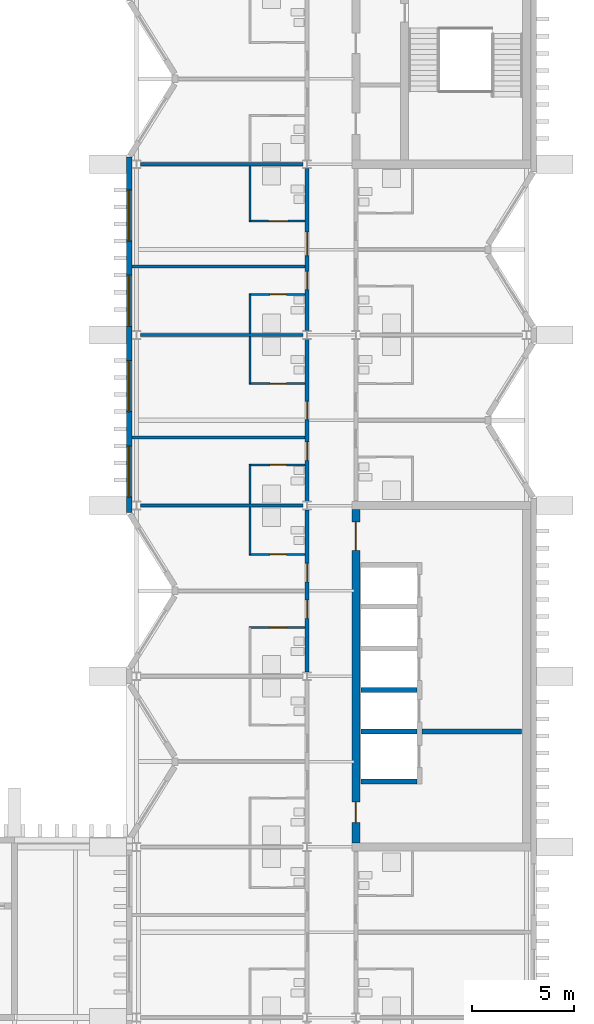
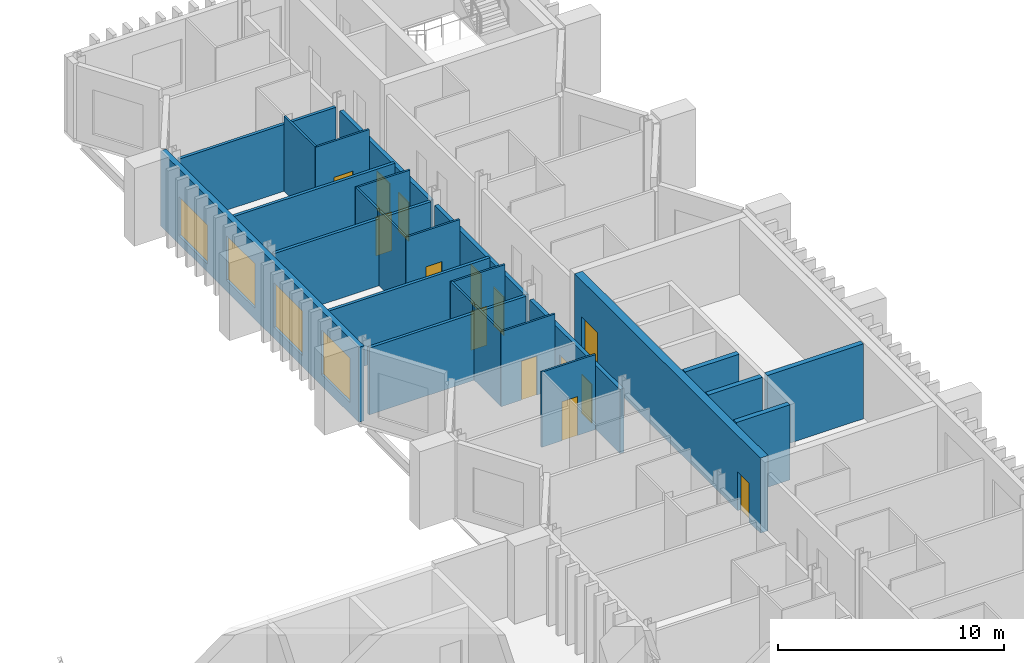
# One storey, part 40 of 51: 25 walls, 14 doors, 4 windows, 18 openings.
"""IFC4 building model written with IfcOpenShell, lengths in metres."""

import ifcopenshell
import ifcopenshell.guid

model = None  # the IFC model being written
_history = None  # IfcOwnerHistory: only IFC2X3 demands one
_inside = {}  # id of a spatial element -> (the spatial element, [elements in it])
_under = {}  # id of a project, library or spatial element -> (it, [spatial elements below it])
_declared = {}  # id of a project -> (the project, [libraries it declares])
_typed = {}  # id of a type object -> (the type object, [elements of that type])
_made_of = {}  # id of a material, layer set ... -> (it, [elements and type objects made of it])


def new_model(schema):
    """Start an empty IFC model of exactly this schema.

    Asked for "IFC4X3", IfcOpenShell would pick the latest addendum, in which some entities
    have other attributes; the version numbers below select the first issue.
    IFC2X3 requires an IfcOwnerHistory on every rooted entity: one is made here for all.
    """
    global model, _history
    if schema == "IFC4X3":
        model = ifcopenshell.file(schema_version=(4, 3, 0, 0))
    else:
        model = ifcopenshell.file(schema=schema)
    _inside.clear()
    _under.clear()
    _declared.clear()
    _typed.clear()
    _made_of.clear()
    _history = None
    if model.schema == "IFC2X3":
        org = make("IfcOrganization", Name="unknown")
        user = make(
            "IfcPersonAndOrganization",
            ThePerson=make("IfcPerson", FamilyName="unknown"),
            TheOrganization=org,
        )
        app = make(
            "IfcApplication",
            ApplicationDeveloper=org,
            Version="unknown",
            ApplicationFullName="unknown",
            ApplicationIdentifier="unknown",
        )
        _history = make(
            "IfcOwnerHistory",
            OwningUser=user,
            OwningApplication=app,
            ChangeAction="ADDED",
            CreationDate=0,
        )
    return model


def make(cls, **values):
    """One entity of the class cls with the attributes given. An attribute that is None is left unset."""
    return model.create_entity(
        cls, **{name: value for name, value in values.items() if value is not None}
    )


def rooted(cls, **values):
    """An entity with a GlobalId (a new one), such as an element, a storey or a relation."""
    return make(cls, GlobalId=ifcopenshell.guid.new(), OwnerHistory=_history, **values)


def si_unit(unit_type, name, prefix=None):
    """IfcSIUnit, for example si_unit("LENGTHUNIT", "METRE", prefix="MILLI")."""
    return make("IfcSIUnit", UnitType=unit_type, Prefix=prefix, Name=name)


def assignment(units):
    """IfcUnitAssignment: the units of a project."""
    return None if units is None else make("IfcUnitAssignment", Units=units)


def point(xyz):
    """IfcCartesianPoint."""
    return None if xyz is None else make("IfcCartesianPoint", Coordinates=xyz)


def direction(xyz):
    """IfcDirection."""
    return None if xyz is None else make("IfcDirection", DirectionRatios=xyz)


def frame(location, z_axis=None, x_axis=None):
    """IfcAxis2Placement3D, a coordinate frame: its origin and axes. An axis left out is left unset."""
    return make(
        "IfcAxis2Placement3D",
        Location=point(location),
        Axis=direction(z_axis),
        RefDirection=direction(x_axis),
    )


def frame_2d(location, x_axis=None):
    """IfcAxis2Placement2D, a coordinate frame in the plane: its origin and x axis."""
    return make(
        "IfcAxis2Placement2D", Location=point(location), RefDirection=direction(x_axis)
    )


def origin():
    """The frame at (0, 0, 0) with its axes left unset."""
    return frame((0.0, 0.0, 0.0))


def place(relative_to, where):
    """IfcLocalPlacement: puts the frame where relative to a parent placement (None: the world)."""
    return make(
        "IfcLocalPlacement", PlacementRelTo=relative_to, RelativePlacement=where
    )


def context(
    kind, dimensions, precision=None, world=None, true_north=None, identifier=None
):
    """IfcGeometricRepresentationContext, for example the 3D "Model" context."""
    return make(
        "IfcGeometricRepresentationContext",
        ContextIdentifier=identifier,
        ContextType=kind,
        CoordinateSpaceDimension=dimensions,
        Precision=precision,
        WorldCoordinateSystem=world,
        TrueNorth=true_north,
    )


def subcontext(parent, identifier, kind, view, scale=None):
    """IfcGeometricRepresentationSubContext, for example "Body" below "Model"."""
    return make(
        "IfcGeometricRepresentationSubContext",
        ContextIdentifier=identifier,
        ContextType=kind,
        ParentContext=parent,
        TargetScale=scale,
        TargetView=view,
    )


def project(units=None, contexts=None):
    """IfcProject with its units and contexts."""
    return rooted(
        "IfcProject",
        Name="project",
        RepresentationContexts=contexts,
        UnitsInContext=assignment(units),
    )


def spatial(cls, under=None, at=None, **own):
    """A site, building, storey or space (cls), placed at a placement, below another one or the project."""
    s = rooted(cls, ObjectPlacement=at, **own)
    if under is not None:
        _under.setdefault(under.id(), (under, []))[1].append(s)
    return s


def profile(cls, at=None, kind="AREA", **sizes):
    """A parametric profile (cls). Its sizes go by their IFC names, for example OverallWidth=200.0."""
    return make(cls, ProfileType=kind, Position=at, **sizes)


def rectangle(**sizes):
    """IfcRectangleProfileDef."""
    return profile("IfcRectangleProfileDef", **sizes)


def extrude(swept, where, along, depth):
    """IfcExtrudedAreaSolid: the profile swept, set in the frame where, extruded along a direction by depth."""
    return make(
        "IfcExtrudedAreaSolid",
        SweptArea=swept,
        Position=where,
        ExtrudedDirection=direction(along),
        Depth=depth,
    )


def shape(context_of_items, identifier, shape_type, items):
    """IfcShapeRepresentation: the items that make up one representation, for example the "Body"."""
    return make(
        "IfcShapeRepresentation",
        ContextOfItems=context_of_items,
        RepresentationIdentifier=identifier,
        RepresentationType=shape_type,
        Items=items,
    )


def material(Name=None, Category=None):
    """IfcMaterial."""
    return make("IfcMaterial", Name=Name, Category=Category)


def layer(
    of_material, thickness, ventilated=None, Name=None, Category=None, Priority=None
):
    """IfcMaterialLayer: one layer of a wall or slab, of a material (None: an air gap)."""
    return make(
        "IfcMaterialLayer",
        Material=of_material,
        LayerThickness=thickness,
        IsVentilated=ventilated,
        Name=Name,
        Category=Category,
        Priority=Priority,
    )


def layer_set(layers, Name=None):
    """IfcMaterialLayerSet."""
    return make("IfcMaterialLayerSet", MaterialLayers=layers, LayerSetName=Name)


def made_of(thing, what):
    """Note that an element or type object is made of a material, layer set ...; save() writes the relation."""
    if what is not None:
        _made_of.setdefault(what.id(), (what, []))[1].append(thing)
    return thing


def type_object(cls, material=None, **own):
    """A type object (cls), such as IfcWallType, which elements share."""
    return made_of(rooted(cls, **own), material)


def element(
    cls,
    number,
    at=None,
    inside=None,
    cuts=None,
    type_object=None,
    material=None,
    context=None,
    identifier="Body",
    shape_type=None,
    held_by="IfcProductDefinitionShape",
    body=None,
    shapes=None,
    **own,
):
    """One element of the class cls, such as IfcWall. Its Tag is "e" and its number.

    at: its placement. inside: the storey or other place that contains it. cuts: it is an
    opening in that element (IfcRelVoidsElement). A single representation is given by context,
    identifier, shape_type and body (its items); several are given by shapes. held_by: the class
    of the entity that holds the representations. save() writes the other relations.
    """
    e = rooted(cls, Tag="e%d" % number, ObjectPlacement=at, **own)
    if body is not None:
        shapes = [shape(context, identifier, shape_type, body)]
    if shapes is not None:
        e.Representation = make(held_by, Representations=shapes)
    if inside is not None:
        _inside.setdefault(inside.id(), (inside, []))[1].append(e)
    if cuts is not None:
        rooted(
            "IfcRelVoidsElement", RelatingBuildingElement=cuts, RelatedOpeningElement=e
        )
    if type_object is not None:
        _typed.setdefault(type_object.id(), (type_object, []))[1].append(e)
    return made_of(e, material)


def fill(opening, filler):
    """IfcRelFillsElement: the door or window that sits in an opening."""
    return rooted(
        "IfcRelFillsElement",
        RelatingOpeningElement=opening,
        RelatedBuildingElement=filler,
    )


def aggregate(whole, parts):
    """IfcRelAggregates: a whole, such as a stair, and the parts it consists of."""
    return rooted("IfcRelAggregates", RelatingObject=whole, RelatedObjects=parts)


def save(model, path):
    """Write the relations noted so far, then the file.

    IfcRelAggregates (storeys below a building ...), IfcRelContainedInSpatialStructure (elements
    in a storey), IfcRelDefinesByType, IfcRelAssociatesMaterial and IfcRelDeclares: one each for
    every whole, place, type object, material and project.
    """
    for whole, parts in _under.values():
        aggregate(whole, parts)
    for where, things in _inside.values():
        rooted(
            "IfcRelContainedInSpatialStructure",
            RelatedElements=things,
            RelatingStructure=where,
        )
    for kind, things in _typed.values():
        rooted("IfcRelDefinesByType", RelatedObjects=things, RelatingType=kind)
    for what, things in _made_of.values():
        rooted("IfcRelAssociatesMaterial", RelatedObjects=things, RelatingMaterial=what)
    for by, libraries in _declared.values():
        rooted("IfcRelDeclares", RelatingContext=by, RelatedDefinitions=libraries)
    model.write(path)


model = new_model("IFC4")

# Units and contexts
model_context = context("Model", 3, precision=1e-05, world=origin(), true_north=direction((0.0, 1.0)))
body_context = subcontext(model_context, "Body", "Model", "MODEL_VIEW")
ifc_project = project(units=[si_unit("LENGTHUNIT", "METRE"), si_unit("AREAUNIT", "SQUARE_METRE"), si_unit("VOLUMEUNIT", "CUBIC_METRE"), si_unit("PLANEANGLEUNIT", "RADIAN"), si_unit("MASSUNIT", "GRAM", prefix="KILO")], contexts=[model_context])

# Site, building, storey
site_placement = place(None, origin())
site = spatial("IfcSite", under=ifc_project, at=site_placement, CompositionType="ELEMENT")
building_placement = place(site_placement, origin())
building = spatial("IfcBuilding", under=site, at=building_placement, Name="Cresset Court Congress Hotel", CompositionType="ELEMENT")
storey_placement = place(building_placement, frame((0.0, 0.0, 18.60009765625)))
storey = spatial("IfcBuildingStorey", under=building, at=storey_placement, Name="L04", CompositionType="ELEMENT", Elevation=18.60009765625)

# Wall, openings, doors
ifc_material_1 = material(Name="Gypsum board partition")
ifc_layer_1 = layer(ifc_material_1, 0.199951171875)
ifc_layer_set_1 = layer_set([ifc_layer_1], Name="Corridor wall 200")
wall_type_1 = type_object("IfcWallType", Name="Corridor wall 200", PredefinedType="PARTITIONING", material=ifc_layer_set_1)
wall_1_placement = place(storey_placement, frame((165.60009765625, 33.806884765625, 0.0), z_axis=(0.0, 0.0, 1.0), x_axis=(0.0, 1.0, 0.0)))
wall_1 = element("IfcWall", 1, at=wall_1_placement, inside=storey, type_object=wall_type_1, Name="A.wl.L04.074", PredefinedType="PARTITIONING", context=body_context, shape_type="SweptSolid", body=[
    extrude(rectangle(XDim=7.986083984375, YDim=0.199951171875, at=frame_2d((3.9931640625, 0.0))), origin(), (0.0, 0.0, 1.0), 3.449951171875),
])
opening_1_placement = place(wall_1_placement, frame((2.64306640625, 0.0, 0.0)))
opening_1 = element("IfcOpeningElement", 2, at=opening_1_placement, cuts=wall_1, Name="Opening DA-04-18", PredefinedType="OPENING", context=body_context, shape_type="SweptSolid", body=[
    extrude(rectangle(XDim=0.89990234375, YDim=2.10009765625, at=frame_2d((0.449951171875, 1.050048828125))), frame((0.0, 0.10986328125, 0.0), z_axis=(0.0, -1.0, 0.0), x_axis=(1.0, 0.0, 0.0)), (0.0, 0.0, 1.0), 0.219970703125),
])
opening_2_placement = place(wall_1_placement, frame((4.443115234375, 0.0, 0.0)))
opening_2 = element("IfcOpeningElement", 3, at=opening_2_placement, cuts=wall_1, Name="Opening DA-04-20", PredefinedType="OPENING", context=body_context, shape_type="SweptSolid", body=[
    extrude(rectangle(XDim=0.89990234375, YDim=2.10009765625, at=frame_2d((0.449951171875, 1.050048828125))), frame((0.0, 0.10986328125, 0.0), z_axis=(0.0, -1.0, 0.0), x_axis=(1.0, 0.0, 0.0)), (0.0, 0.0, 1.0), 0.219970703125),
])
ifc_material_2 = material(Name="timber", Category="wood")
door_type_1 = type_object("IfcDoorType", Name="Guest-room entry door 900x2100 FD30S", OperationType="SINGLE_SWING_LEFT", PredefinedType="DOOR", material=ifc_material_2)
door_1_placement = place(opening_1_placement, origin())
door_1 = element("IfcDoor", 4, at=door_1_placement, inside=storey, type_object=door_type_1, Name="Door DA-04-18", OperationType="SINGLE_SWING_RIGHT", OverallHeight=2.10009765625, OverallWidth=0.89990234375, PredefinedType="DOOR", context=body_context, shape_type="SweptSolid", body=[
    extrude(rectangle(XDim=0.89990234375, YDim=2.10009765625, at=frame_2d((0.449951171875, 1.050048828125))), frame((0.0, 0.02490234375, 0.0), z_axis=(0.0, -1.0, 0.0), x_axis=(1.0, 0.0, 0.0)), (0.0, 0.0, 1.0), 0.050048828125),
])
fill(opening_1, door_1)
door_2_placement = place(opening_2_placement, origin())
door_2 = element("IfcDoor", 5, at=door_2_placement, inside=storey, type_object=door_type_1, Name="Door DA-04-20", OperationType="SINGLE_SWING_LEFT", OverallHeight=2.10009765625, OverallWidth=0.89990234375, PredefinedType="DOOR", context=body_context, shape_type="SweptSolid", body=[
    extrude(rectangle(XDim=0.89990234375, YDim=2.10009765625, at=frame_2d((0.449951171875, 1.050048828125))), frame((0.0, 0.02490234375, 0.0), z_axis=(0.0, -1.0, 0.0), x_axis=(1.0, 0.0, 0.0)), (0.0, 0.0, 1.0), 0.050048828125),
])
fill(opening_2, door_2)

wall_2_placement = place(storey_placement, frame((165.60009765625, 42.20703125, 0.0), z_axis=(0.0, 0.0, 1.0), x_axis=(0.0, 1.0, 0.0)))
wall_2 = element("IfcWall", 6, at=wall_2_placement, inside=storey, type_object=wall_type_1, Name="A.wl.L04.075", PredefinedType="PARTITIONING", context=body_context, shape_type="SweptSolid", body=[
    extrude(rectangle(XDim=7.986083984375, YDim=0.199951171875, at=frame_2d((3.9931640625, 0.0))), origin(), (0.0, 0.0, 1.0), 3.449951171875),
])
opening_3_placement = place(wall_2_placement, frame((2.02294921875, 0.0, 0.0)))
opening_3 = element("IfcOpeningElement", 7, at=opening_3_placement, cuts=wall_2, Name="Opening DA-04-22", PredefinedType="OPENING", context=body_context, shape_type="SweptSolid", body=[
    extrude(rectangle(XDim=0.89990234375, YDim=2.10009765625, at=frame_2d((0.449951171875, 1.050048828125))), frame((0.0, 0.10986328125, 0.0), z_axis=(0.0, -1.0, 0.0), x_axis=(1.0, 0.0, 0.0)), (0.0, 0.0, 1.0), 0.219970703125),
])
opening_4_placement = place(wall_2_placement, frame((4.02294921875, 0.0, 0.0)))
opening_4 = element("IfcOpeningElement", 8, at=opening_4_placement, cuts=wall_2, Name="Opening DA-04-24", PredefinedType="OPENING", context=body_context, shape_type="SweptSolid", body=[
    extrude(rectangle(XDim=0.89990234375, YDim=2.10009765625, at=frame_2d((0.449951171875, 1.050048828125))), frame((0.0, 0.10986328125, 0.0), z_axis=(0.0, -1.0, 0.0), x_axis=(1.0, 0.0, 0.0)), (0.0, 0.0, 1.0), 0.219970703125),
])
door_3_placement = place(opening_3_placement, origin())
door_3 = element("IfcDoor", 9, at=door_3_placement, inside=storey, type_object=door_type_1, Name="Door DA-04-22", OperationType="SINGLE_SWING_RIGHT", OverallHeight=2.10009765625, OverallWidth=0.89990234375, PredefinedType="DOOR", context=body_context, shape_type="SweptSolid", body=[
    extrude(rectangle(XDim=0.89990234375, YDim=2.10009765625, at=frame_2d((0.449951171875, 1.050048828125))), frame((0.0, 0.02490234375, 0.0), z_axis=(0.0, -1.0, 0.0), x_axis=(1.0, 0.0, 0.0)), (0.0, 0.0, 1.0), 0.050048828125),
])
fill(opening_3, door_3)
door_4_placement = place(opening_4_placement, origin())
door_4 = element("IfcDoor", 10, at=door_4_placement, inside=storey, type_object=door_type_1, Name="Door DA-04-24", OperationType="SINGLE_SWING_LEFT", OverallHeight=2.10009765625, OverallWidth=0.89990234375, PredefinedType="DOOR", context=body_context, shape_type="SweptSolid", body=[
    extrude(rectangle(XDim=0.89990234375, YDim=2.10009765625, at=frame_2d((0.449951171875, 1.050048828125))), frame((0.0, 0.02490234375, 0.0), z_axis=(0.0, -1.0, 0.0), x_axis=(1.0, 0.0, 0.0)), (0.0, 0.0, 1.0), 0.050048828125),
])
fill(opening_4, door_4)

wall_3_placement = place(storey_placement, frame((165.60009765625, 50.60693359375, 0.0), z_axis=(0.0, 0.0, 1.0), x_axis=(0.0, 1.0, 0.0)))
wall_3 = element("IfcWall", 11, at=wall_3_placement, inside=storey, type_object=wall_type_1, Name="A.wl.L04.076", PredefinedType="PARTITIONING", context=body_context, shape_type="SweptSolid", body=[
    extrude(rectangle(XDim=7.986083984375, YDim=0.199951171875, at=frame_2d((3.9931640625, 0.0))), origin(), (0.0, 0.0, 1.0), 3.449951171875),
])
opening_5_placement = place(wall_3_placement, frame((2.02294921875, 0.0, 0.0)))
opening_5 = element("IfcOpeningElement", 12, at=opening_5_placement, cuts=wall_3, Name="Opening DA-04-26", PredefinedType="OPENING", context=body_context, shape_type="SweptSolid", body=[
    extrude(rectangle(XDim=0.89990234375, YDim=2.10009765625, at=frame_2d((0.449951171875, 1.050048828125))), frame((0.0, 0.10986328125, 0.0), z_axis=(0.0, -1.0, 0.0), x_axis=(1.0, 0.0, 0.0)), (0.0, 0.0, 1.0), 0.219970703125),
])
opening_6_placement = place(wall_3_placement, frame((3.697998046875, 0.0, 0.0)))
opening_6 = element("IfcOpeningElement", 13, at=opening_6_placement, cuts=wall_3, Name="Opening DA-04-28", PredefinedType="OPENING", context=body_context, shape_type="SweptSolid", body=[
    extrude(rectangle(XDim=1.14990234375, YDim=2.10009765625, at=frame_2d((0.574951171875, 1.050048828125))), frame((0.0, 0.10986328125, 0.0), z_axis=(0.0, -1.0, 0.0), x_axis=(1.0, 0.0, 0.0)), (0.0, 0.0, 1.0), 0.219970703125),
])
ifc_material_3 = material(Name="timber", Category="wood")
door_type_2 = type_object("IfcDoorType", Name="Accessible guest-room entry door 1150x2100 FD30S", OperationType="SINGLE_SWING_LEFT", PredefinedType="DOOR", material=ifc_material_3)
door_5_placement = place(opening_6_placement, origin())
door_5 = element("IfcDoor", 14, at=door_5_placement, inside=storey, type_object=door_type_2, Name="Door DA-04-28", OperationType="SINGLE_SWING_LEFT", OverallHeight=2.10009765625, OverallWidth=1.14990234375, PredefinedType="DOOR", context=body_context, shape_type="SweptSolid", body=[
    extrude(rectangle(XDim=1.14990234375, YDim=2.10009765625, at=frame_2d((0.574951171875, 1.050048828125))), frame((0.0, 0.02490234375, 0.0), z_axis=(0.0, -1.0, 0.0), x_axis=(1.0, 0.0, 0.0)), (0.0, 0.0, 1.0), 0.050048828125),
])
fill(opening_6, door_5)
door_6_placement = place(opening_5_placement, origin())
door_6 = element("IfcDoor", 15, at=door_6_placement, inside=storey, type_object=door_type_1, Name="Door DA-04-26", OperationType="SINGLE_SWING_RIGHT", OverallHeight=2.10009765625, OverallWidth=0.89990234375, PredefinedType="DOOR", context=body_context, shape_type="SweptSolid", body=[
    extrude(rectangle(XDim=0.89990234375, YDim=2.10009765625, at=frame_2d((0.449951171875, 1.050048828125))), frame((0.0, 0.02490234375, 0.0), z_axis=(0.0, -1.0, 0.0), x_axis=(1.0, 0.0, 0.0)), (0.0, 0.0, 1.0), 0.050048828125),
])
fill(opening_5, door_6)

# Wall, opening, door
ifc_material_4 = material(Name="Gypsum board partition")
ifc_layer_2 = layer(ifc_material_4, 0.10009765625)
ifc_layer_set_2 = layer_set([ifc_layer_2], Name="En-suite wall 100")
wall_type_2 = type_object("IfcWallType", Name="En-suite wall 100", PredefinedType="PARTITIONING", material=ifc_layer_set_2)
wall_4_placement = place(storey_placement, frame((162.75, 36.0, 0.0), z_axis=(0.0, 0.0, 1.0), x_axis=(1.0, 0.0, 0.0)))
wall_4 = element("IfcWall", 16, at=wall_4_placement, inside=storey, type_object=wall_type_2, Name="A.wl.L04.018", PredefinedType="PARTITIONING", context=body_context, shape_type="SweptSolid", body=[
    extrude(rectangle(XDim=2.75, YDim=0.10009765625, at=frame_2d((1.375, 0.0))), origin(), (0.0, 0.0, 1.0), 4.0498046875),
])
opening_7_placement = place(wall_4_placement, frame((1.030029296875, 0.0, 0.0)))
opening_7 = element("IfcOpeningElement", 17, at=opening_7_placement, cuts=wall_4, Name="Opening DA-04-17", PredefinedType="OPENING", context=body_context, shape_type="SweptSolid", body=[
    extrude(rectangle(XDim=0.800048828125, YDim=2.10009765625, at=frame_2d((0.39990234375, 1.050048828125))), frame((0.0, 0.06005859375, 0.0), z_axis=(0.0, -1.0, 0.0), x_axis=(1.0, 0.0, 0.0)), (0.0, 0.0, 1.0), 0.1201171875),
])
ifc_material_5 = material(Name="timber", Category="wood")
door_type_3 = type_object("IfcDoorType", Name="En-suite door 800x2100", OperationType="SINGLE_SWING_LEFT", PredefinedType="DOOR", material=ifc_material_5)
door_7_placement = place(opening_7_placement, origin())
door_7 = element("IfcDoor", 18, at=door_7_placement, inside=storey, type_object=door_type_3, Name="Door DA-04-17", OperationType="SINGLE_SWING_RIGHT", OverallHeight=2.10009765625, OverallWidth=0.800048828125, PredefinedType="DOOR", context=body_context, shape_type="SweptSolid", body=[
    extrude(rectangle(XDim=0.800048828125, YDim=2.10009765625, at=frame_2d((0.39990234375, 1.050048828125))), frame((0.0, 0.02490234375, 0.0), z_axis=(0.0, -1.0, 0.0), x_axis=(1.0, 0.0, 0.0)), (0.0, 0.0, 1.0), 0.050048828125),
])
fill(opening_7, door_7)

# Wall
wall_5_placement = place(storey_placement, frame((162.800048828125, 39.60009765625, 0.0), z_axis=(0.0, 0.0, 1.0), x_axis=(0.0, 1.0, 0.0)))
element("IfcWall", 19, at=wall_5_placement, inside=storey, type_object=wall_type_2, Name="A.wl.L04.019", PredefinedType="PARTITIONING", context=body_context, shape_type="SweptSolid", body=[
    extrude(rectangle(XDim=2.324951171875, YDim=0.10009765625, at=frame_2d((1.16259765625, 0.0))), origin(), (0.0, 0.0, 1.0), 4.0498046875),
])

# Wall, opening, door
wall_6_placement = place(storey_placement, frame((162.75, 39.60009765625, 0.0), z_axis=(0.0, 0.0, 1.0), x_axis=(1.0, 0.0, 0.0)))
wall_6 = element("IfcWall", 20, at=wall_6_placement, inside=storey, type_object=wall_type_2, Name="A.wl.L04.020", PredefinedType="PARTITIONING", context=body_context, shape_type="SweptSolid", body=[
    extrude(rectangle(XDim=2.75, YDim=0.10009765625, at=frame_2d((1.375, 0.0))), origin(), (0.0, 0.0, 1.0), 4.0498046875),
])
opening_8_placement = place(wall_6_placement, frame((1.030029296875, 0.0, 0.0)))
opening_8 = element("IfcOpeningElement", 21, at=opening_8_placement, cuts=wall_6, Name="Opening DA-04-19", PredefinedType="OPENING", context=body_context, shape_type="SweptSolid", body=[
    extrude(rectangle(XDim=0.800048828125, YDim=2.10009765625, at=frame_2d((0.39990234375, 1.050048828125))), frame((0.0, 0.06005859375, 0.0), z_axis=(0.0, -1.0, 0.0), x_axis=(1.0, 0.0, 0.0)), (0.0, 0.0, 1.0), 0.1201171875),
])
door_8_placement = place(opening_8_placement, origin())
door_8 = element("IfcDoor", 22, at=door_8_placement, inside=storey, type_object=door_type_3, Name="Door DA-04-19", OperationType="SINGLE_SWING_LEFT", OverallHeight=2.10009765625, OverallWidth=0.800048828125, PredefinedType="DOOR", context=body_context, shape_type="SweptSolid", body=[
    extrude(rectangle(XDim=0.800048828125, YDim=2.10009765625, at=frame_2d((0.39990234375, 1.050048828125))), frame((0.0, 0.02490234375, 0.0), z_axis=(0.0, -1.0, 0.0), x_axis=(1.0, 0.0, 0.0)), (0.0, 0.0, 1.0), 0.050048828125),
])
fill(opening_8, door_8)

# Wall
wall_7_placement = place(storey_placement, frame((162.800048828125, 42.074951171875, 0.0), z_axis=(0.0, 0.0, 1.0), x_axis=(0.0, 1.0, 0.0)))
element("IfcWall", 23, at=wall_7_placement, inside=storey, type_object=wall_type_2, Name="A.wl.L04.021", PredefinedType="PARTITIONING", context=body_context, shape_type="SweptSolid", body=[
    extrude(rectangle(XDim=1.925048828125, YDim=0.10009765625, at=frame_2d((0.96240234375, 0.0))), origin(), (0.0, 0.0, 1.0), 4.0498046875),
])

# Wall, opening, door
wall_8_placement = place(storey_placement, frame((162.75, 44.0, 0.0), z_axis=(0.0, 0.0, 1.0), x_axis=(1.0, 0.0, 0.0)))
wall_8 = element("IfcWall", 24, at=wall_8_placement, inside=storey, type_object=wall_type_2, Name="A.wl.L04.022", PredefinedType="PARTITIONING", context=body_context, shape_type="SweptSolid", body=[
    extrude(rectangle(XDim=2.75, YDim=0.10009765625, at=frame_2d((1.375, 0.0))), origin(), (0.0, 0.0, 1.0), 4.0498046875),
])
opening_9_placement = place(wall_8_placement, frame((1.030029296875, 0.0, 0.0)))
opening_9 = element("IfcOpeningElement", 25, at=opening_9_placement, cuts=wall_8, Name="Opening DA-04-21", PredefinedType="OPENING", context=body_context, shape_type="SweptSolid", body=[
    extrude(rectangle(XDim=0.800048828125, YDim=2.10009765625, at=frame_2d((0.39990234375, 1.050048828125))), frame((0.0, 0.06005859375, 0.0), z_axis=(0.0, -1.0, 0.0), x_axis=(1.0, 0.0, 0.0)), (0.0, 0.0, 1.0), 0.1201171875),
])
door_9_placement = place(opening_9_placement, origin())
door_9 = element("IfcDoor", 26, at=door_9_placement, inside=storey, type_object=door_type_3, Name="Door DA-04-21", OperationType="SINGLE_SWING_RIGHT", OverallHeight=2.10009765625, OverallWidth=0.800048828125, PredefinedType="DOOR", context=body_context, shape_type="SweptSolid", body=[
    extrude(rectangle(XDim=0.800048828125, YDim=2.10009765625, at=frame_2d((0.39990234375, 1.050048828125))), frame((0.0, 0.02490234375, 0.0), z_axis=(0.0, -1.0, 0.0), x_axis=(1.0, 0.0, 0.0)), (0.0, 0.0, 1.0), 0.050048828125),
])
fill(opening_9, door_9)

# Wall
wall_9_placement = place(storey_placement, frame((162.800048828125, 48.0, 0.0), z_axis=(0.0, 0.0, 1.0), x_axis=(0.0, 1.0, 0.0)))
element("IfcWall", 27, at=wall_9_placement, inside=storey, type_object=wall_type_2, Name="A.wl.L04.023", PredefinedType="PARTITIONING", context=body_context, shape_type="SweptSolid", body=[
    extrude(rectangle(XDim=2.324951171875, YDim=0.10009765625, at=frame_2d((1.16259765625, 0.0))), origin(), (0.0, 0.0, 1.0), 4.0498046875),
])

# Wall, opening, door
wall_10_placement = place(storey_placement, frame((162.75, 48.0, 0.0), z_axis=(0.0, 0.0, 1.0), x_axis=(1.0, 0.0, 0.0)))
wall_10 = element("IfcWall", 28, at=wall_10_placement, inside=storey, type_object=wall_type_2, Name="A.wl.L04.024", PredefinedType="PARTITIONING", context=body_context, shape_type="SweptSolid", body=[
    extrude(rectangle(XDim=2.75, YDim=0.10009765625, at=frame_2d((1.375, 0.0))), origin(), (0.0, 0.0, 1.0), 4.0498046875),
])
opening_10_placement = place(wall_10_placement, frame((1.030029296875, 0.0, 0.0)))
opening_10 = element("IfcOpeningElement", 29, at=opening_10_placement, cuts=wall_10, Name="Opening DA-04-23", PredefinedType="OPENING", context=body_context, shape_type="SweptSolid", body=[
    extrude(rectangle(XDim=0.800048828125, YDim=2.10009765625, at=frame_2d((0.39990234375, 1.050048828125))), frame((0.0, 0.06005859375, 0.0), z_axis=(0.0, -1.0, 0.0), x_axis=(1.0, 0.0, 0.0)), (0.0, 0.0, 1.0), 0.1201171875),
])
door_10_placement = place(opening_10_placement, origin())
door_10 = element("IfcDoor", 30, at=door_10_placement, inside=storey, type_object=door_type_3, Name="Door DA-04-23", OperationType="SINGLE_SWING_LEFT", OverallHeight=2.10009765625, OverallWidth=0.800048828125, PredefinedType="DOOR", context=body_context, shape_type="SweptSolid", body=[
    extrude(rectangle(XDim=0.800048828125, YDim=2.10009765625, at=frame_2d((0.39990234375, 1.050048828125))), frame((0.0, 0.02490234375, 0.0), z_axis=(0.0, -1.0, 0.0), x_axis=(1.0, 0.0, 0.0)), (0.0, 0.0, 1.0), 0.050048828125),
])
fill(opening_10, door_10)

# Wall
wall_11_placement = place(storey_placement, frame((162.800048828125, 50.47509765625, 0.0), z_axis=(0.0, 0.0, 1.0), x_axis=(0.0, 1.0, 0.0)))
element("IfcWall", 31, at=wall_11_placement, inside=storey, type_object=wall_type_2, Name="A.wl.L04.025", PredefinedType="PARTITIONING", context=body_context, shape_type="SweptSolid", body=[
    extrude(rectangle(XDim=1.9248046875, YDim=0.10009765625, at=frame_2d((0.96240234375, 0.0))), origin(), (0.0, 0.0, 1.0), 4.0498046875),
])

# Wall, opening, door
wall_12_placement = place(storey_placement, frame((162.75, 52.39990234375, 0.0), z_axis=(0.0, 0.0, 1.0), x_axis=(1.0, 0.0, 0.0)))
wall_12 = element("IfcWall", 32, at=wall_12_placement, inside=storey, type_object=wall_type_2, Name="A.wl.L04.026", PredefinedType="PARTITIONING", context=body_context, shape_type="SweptSolid", body=[
    extrude(rectangle(XDim=2.75, YDim=0.10009765625, at=frame_2d((1.375, 0.0))), origin(), (0.0, 0.0, 1.0), 4.0498046875),
])
opening_11_placement = place(wall_12_placement, frame((1.030029296875, 0.0, 0.0)))
opening_11 = element("IfcOpeningElement", 33, at=opening_11_placement, cuts=wall_12, Name="Opening DA-04-25", PredefinedType="OPENING", context=body_context, shape_type="SweptSolid", body=[
    extrude(rectangle(XDim=0.800048828125, YDim=2.10009765625, at=frame_2d((0.39990234375, 1.050048828125))), frame((0.0, 0.06005859375, 0.0), z_axis=(0.0, -1.0, 0.0), x_axis=(1.0, 0.0, 0.0)), (0.0, 0.0, 1.0), 0.1201171875),
])
door_11_placement = place(opening_11_placement, origin())
door_11 = element("IfcDoor", 34, at=door_11_placement, inside=storey, type_object=door_type_3, Name="Door DA-04-25", OperationType="SINGLE_SWING_RIGHT", OverallHeight=2.10009765625, OverallWidth=0.800048828125, PredefinedType="DOOR", context=body_context, shape_type="SweptSolid", body=[
    extrude(rectangle(XDim=0.800048828125, YDim=2.10009765625, at=frame_2d((0.39990234375, 1.050048828125))), frame((0.0, 0.02490234375, 0.0), z_axis=(0.0, -1.0, 0.0), x_axis=(1.0, 0.0, 0.0)), (0.0, 0.0, 1.0), 0.050048828125),
])
fill(opening_11, door_11)

# Wall
wall_13_placement = place(storey_placement, frame((162.800048828125, 56.0, 0.0), z_axis=(0.0, 0.0, 1.0), x_axis=(0.0, 1.0, 0.0)))
element("IfcWall", 35, at=wall_13_placement, inside=storey, type_object=wall_type_2, Name="A.wl.L04.027", PredefinedType="PARTITIONING", context=body_context, shape_type="SweptSolid", body=[
    extrude(rectangle(XDim=2.72509765625, YDim=0.10009765625, at=frame_2d((1.362548828125, 0.0))), origin(), (0.0, 0.0, 1.0), 4.0498046875),
])

# Wall, opening, door
wall_14_placement = place(storey_placement, frame((162.75, 56.0, 0.0), z_axis=(0.0, 0.0, 1.0), x_axis=(1.0, 0.0, 0.0)))
wall_14 = element("IfcWall", 36, at=wall_14_placement, inside=storey, type_object=wall_type_2, Name="A.wl.L04.028", PredefinedType="PARTITIONING", context=body_context, shape_type="SweptSolid", body=[
    extrude(rectangle(XDim=2.75, YDim=0.10009765625, at=frame_2d((1.375, 0.0))), origin(), (0.0, 0.0, 1.0), 4.0498046875),
])
opening_12_placement = place(wall_14_placement, frame((0.955078125, 0.0, 0.0)))
opening_12 = element("IfcOpeningElement", 37, at=opening_12_placement, cuts=wall_14, Name="Opening DA-04-27", PredefinedType="OPENING", context=body_context, shape_type="SweptSolid", body=[
    extrude(rectangle(XDim=0.949951171875, YDim=2.10009765625, at=frame_2d((0.47509765625, 1.050048828125))), frame((0.0, 0.06005859375, 0.0), z_axis=(0.0, -1.0, 0.0), x_axis=(1.0, 0.0, 0.0)), (0.0, 0.0, 1.0), 0.1201171875),
])
ifc_material_6 = material(Name="timber", Category="wood")
door_type_4 = type_object("IfcDoorType", Name="Accessible en-suite door 950x2100", OperationType="SINGLE_SWING_LEFT", PredefinedType="DOOR", material=ifc_material_6)
door_12_placement = place(opening_12_placement, origin())
door_12 = element("IfcDoor", 38, at=door_12_placement, inside=storey, type_object=door_type_4, Name="Door DA-04-27", OperationType="SINGLE_SWING_LEFT", OverallHeight=2.10009765625, OverallWidth=0.949951171875, PredefinedType="DOOR", context=body_context, shape_type="SweptSolid", body=[
    extrude(rectangle(XDim=0.949951171875, YDim=2.10009765625, at=frame_2d((0.47509765625, 1.050048828125))), frame((0.0, 0.02490234375, 0.0), z_axis=(0.0, -1.0, 0.0), x_axis=(1.0, 0.0, 0.0)), (0.0, 0.0, 1.0), 0.050048828125),
])
fill(opening_12, door_12)

# Wall, openings, windows
ifc_material_7 = material(Name="Precast concrete C50", Category="concrete")
ifc_layer_3 = layer(ifc_material_7, 0.280029296875)
ifc_layer_set_3 = layer_set([ifc_layer_3], Name="External wall 280")
wall_type_3 = type_object("IfcWallType", Name="External wall 280", PredefinedType="SOLIDWALL", material=ifc_layer_set_3)
wall_15_placement = place(storey_placement, frame((156.840087890625, 41.64990234375, 0.0), z_axis=(0.0, 0.0, 1.0), x_axis=(0.0, 1.0, 0.0)))
wall_15 = element("IfcWall", 39, at=wall_15_placement, inside=storey, type_object=wall_type_3, Name="A.ew.L04.W.3", PredefinedType="SOLIDWALL", context=body_context, shape_type="SweptSolid", body=[
    extrude(rectangle(XDim=17.5, YDim=0.280029296875, at=frame_2d((8.75, 0.0))), origin(), (0.0, 0.0, 1.0), 4.0498046875),
])
opening_13_placement = place(wall_15_placement, frame((0.77001953125, 0.0, 0.60009765625)))
opening_13 = element("IfcOpeningElement", 40, at=opening_13_placement, cuts=wall_15, Name="Opening NA-04-11", PredefinedType="OPENING", context=body_context, shape_type="SweptSolid", body=[
    extrude(rectangle(XDim=2.52001953125, YDim=2.39990234375, at=frame_2d((1.260009765625, 1.199951171875))), frame((0.0, 0.14990234375, 0.0), z_axis=(0.0, -1.0, 0.0), x_axis=(1.0, 0.0, 0.0)), (0.0, 0.0, 1.0), 0.300048828125),
])
opening_14_placement = place(wall_15_placement, frame((4.969970703125, 0.0, 0.60009765625)))
opening_14 = element("IfcOpeningElement", 41, at=opening_14_placement, cuts=wall_15, Name="Opening NA-04-12", PredefinedType="OPENING", context=body_context, shape_type="SweptSolid", body=[
    extrude(rectangle(XDim=2.52001953125, YDim=2.39990234375, at=frame_2d((1.260009765625, 1.199951171875))), frame((0.0, 0.14990234375, 0.0), z_axis=(0.0, -1.0, 0.0), x_axis=(1.0, 0.0, 0.0)), (0.0, 0.0, 1.0), 0.300048828125),
])
opening_15_placement = place(wall_15_placement, frame((9.169921875, 0.0, 0.60009765625)))
opening_15 = element("IfcOpeningElement", 42, at=opening_15_placement, cuts=wall_15, Name="Opening NA-04-13", PredefinedType="OPENING", context=body_context, shape_type="SweptSolid", body=[
    extrude(rectangle(XDim=2.52001953125, YDim=2.39990234375, at=frame_2d((1.260009765625, 1.199951171875))), frame((0.0, 0.14990234375, 0.0), z_axis=(0.0, -1.0, 0.0), x_axis=(1.0, 0.0, 0.0)), (0.0, 0.0, 1.0), 0.300048828125),
])
opening_16_placement = place(wall_15_placement, frame((13.3701171875, 0.0, 0.449951171875)))
opening_16 = element("IfcOpeningElement", 43, at=opening_16_placement, cuts=wall_15, Name="Opening NA-04-14", PredefinedType="OPENING", context=body_context, shape_type="SweptSolid", body=[
    extrude(rectangle(XDim=2.52001953125, YDim=2.10009765625, at=frame_2d((1.260009765625, 1.050048828125))), frame((0.0, 0.14990234375, 0.0), z_axis=(0.0, -1.0, 0.0), x_axis=(1.0, 0.0, 0.0)), (0.0, 0.0, 1.0), 0.300048828125),
])
ifc_material_8 = material(Name="Aluminium and glass", Category="aluminium")
window_type_1 = type_object("IfcWindowType", Name="Window 2520x2100", PartitioningType="SINGLE_PANEL", PredefinedType="WINDOW", material=ifc_material_8)
window_1_placement = place(opening_16_placement, origin())
window_1 = element("IfcWindow", 44, at=window_1_placement, inside=storey, type_object=window_type_1, Name="Window NA-04-14", OverallHeight=2.10009765625, OverallWidth=2.52001953125, PartitioningType="SINGLE_PANEL", PredefinedType="WINDOW", context=body_context, shape_type="SweptSolid", body=[
    extrude(rectangle(XDim=2.52001953125, YDim=2.10009765625, at=frame_2d((1.260009765625, 1.050048828125))), frame((0.0, 0.030029296875, 0.0), z_axis=(0.0, -1.0, 0.0), x_axis=(1.0, 0.0, 0.0)), (0.0, 0.0, 1.0), 0.06005859375),
])
fill(opening_16, window_1)
ifc_material_9 = material(Name="Aluminium and glass", Category="aluminium")
window_type_2 = type_object("IfcWindowType", Name="Window 2520x2400", PartitioningType="SINGLE_PANEL", PredefinedType="WINDOW", material=ifc_material_9)
window_2_placement = place(opening_13_placement, origin())
window_2 = element("IfcWindow", 45, at=window_2_placement, inside=storey, type_object=window_type_2, Name="Window NA-04-11", OverallHeight=2.39990234375, OverallWidth=2.52001953125, PartitioningType="SINGLE_PANEL", PredefinedType="WINDOW", context=body_context, shape_type="SweptSolid", body=[
    extrude(rectangle(XDim=2.52001953125, YDim=2.39990234375, at=frame_2d((1.260009765625, 1.199951171875))), frame((0.0, 0.030029296875, 0.0), z_axis=(0.0, -1.0, 0.0), x_axis=(1.0, 0.0, 0.0)), (0.0, 0.0, 1.0), 0.06005859375),
])
fill(opening_13, window_2)
window_3_placement = place(opening_14_placement, origin())
window_3 = element("IfcWindow", 46, at=window_3_placement, inside=storey, type_object=window_type_2, Name="Window NA-04-12", OverallHeight=2.39990234375, OverallWidth=2.52001953125, PartitioningType="SINGLE_PANEL", PredefinedType="WINDOW", context=body_context, shape_type="SweptSolid", body=[
    extrude(rectangle(XDim=2.52001953125, YDim=2.39990234375, at=frame_2d((1.260009765625, 1.199951171875))), frame((0.0, 0.030029296875, 0.0), z_axis=(0.0, -1.0, 0.0), x_axis=(1.0, 0.0, 0.0)), (0.0, 0.0, 1.0), 0.06005859375),
])
fill(opening_14, window_3)
window_4_placement = place(opening_15_placement, origin())
window_4 = element("IfcWindow", 47, at=window_4_placement, inside=storey, type_object=window_type_2, Name="Window NA-04-13", OverallHeight=2.39990234375, OverallWidth=2.52001953125, PartitioningType="SINGLE_PANEL", PredefinedType="WINDOW", context=body_context, shape_type="SweptSolid", body=[
    extrude(rectangle(XDim=2.52001953125, YDim=2.39990234375, at=frame_2d((1.260009765625, 1.199951171875))), frame((0.0, 0.030029296875, 0.0), z_axis=(0.0, -1.0, 0.0), x_axis=(1.0, 0.0, 0.0)), (0.0, 0.0, 1.0), 0.06005859375),
])
fill(opening_15, window_4)

# Walls
ifc_material_10 = material(Name="Gypsum board partition")
ifc_layer_4 = layer(ifc_material_10, 0.14990234375)
ifc_layer_set_4 = layer_set([ifc_layer_4], Name="Guest-room partition 150")
wall_type_4 = type_object("IfcWallType", Name="Guest-room partition 150", PredefinedType="PARTITIONING", material=ifc_layer_set_4)
for number, where, z_axis, x_axis, name in (
    (48, (157.402587890625, 42.0, 0.0), (0.0, 0.0, 1.0), (1.0, 0.0, 0.0), "A.wl.L04.053"),
    (49, (157.402587890625, 50.39990234375, 0.0), (0.0, 0.0, 1.0), (1.0, 0.0, 0.0), "A.wl.L04.054"),
    (50, (157.402587890625, 58.800048828125, 0.0), (0.0, 0.0, 1.0), (1.0, 0.0, 0.0), "A.wl.L04.055"),
):
    element("IfcWall", number, at=place(storey_placement, frame(where, z_axis=z_axis, x_axis=x_axis)), inside=storey, type_object=wall_type_4, Name=name, PredefinedType="PARTITIONING", context=body_context, shape_type="SweptSolid", body=[
        extrude(rectangle(XDim=7.994873046875, YDim=0.14990234375, at=frame_2d((3.99755859375, 0.0))), origin(), (0.0, 0.0, 1.0), 3.60400390625),
    ])
for number, where, z_axis, x_axis, name in (
    (51, (156.97998046875, 45.360107421875, 0.0), (0.0, 0.0, 1.0), (1.0, 0.0, 0.0), "A.wl.L04.063"),
    (52, (156.97998046875, 53.760009765625, 0.0), (0.0, 0.0, 1.0), (1.0, 0.0, 0.0), "A.wl.L04.064"),
):
    element("IfcWall", number, at=place(storey_placement, frame(where, z_axis=z_axis, x_axis=x_axis)), inside=storey, type_object=wall_type_4, Name=name, PredefinedType="PARTITIONING", context=body_context, shape_type="SweptSolid", body=[
        extrude(rectangle(XDim=8.52001953125, YDim=0.14990234375, at=frame_2d((4.260009765625, 0.0))), origin(), (0.0, 0.0, 1.0), 3.60400390625),
    ])

# Wall, openings, doors
ifc_material_11 = material(Name="Concrete C50", Category="concrete")
ifc_layer_5 = layer(ifc_material_11, 0.39990234375)
ifc_layer_set_5 = layer_set([ifc_layer_5], Name="Lift core wall 400")
wall_type_5 = type_object("IfcWallType", Name="Lift core wall 400", PredefinedType="SOLIDWALL", material=ifc_layer_set_5)
wall_16_placement = place(storey_placement, frame((168.0, 25.39990234375, 0.0), z_axis=(0.0, 0.0, 1.0), x_axis=(0.0, 1.0, 0.0)))
wall_16 = element("IfcWall", 53, at=wall_16_placement, inside=storey, type_object=wall_type_5, Name="A.cw.LC-A.L04.W", PredefinedType="SOLIDWALL", context=body_context, shape_type="SweptSolid", body=[
    extrude(rectangle(XDim=16.400146484375, YDim=0.39990234375, at=frame_2d((8.2001953125, 0.0))), origin(), (0.0, 0.0, 1.0), 4.0498046875),
])
opening_17_placement = place(wall_16_placement, frame((1.0, 0.0, 0.0)))
opening_17 = element("IfcOpeningElement", 54, at=opening_17_placement, cuts=wall_16, Name="Opening DA-04-60", PredefinedType="OPENING", context=body_context, shape_type="SweptSolid", body=[
    extrude(rectangle(XDim=1.0, YDim=2.10009765625, at=frame_2d((0.5, 1.050048828125))), frame((0.0, 0.2099609375, 0.0), z_axis=(0.0, -1.0, 0.0), x_axis=(1.0, 0.0, 0.0)), (0.0, 0.0, 1.0), 0.419921875),
])
opening_18_placement = place(wall_16_placement, frame((14.39990234375, 0.0, 0.0)))
opening_18 = element("IfcOpeningElement", 55, at=opening_18_placement, cuts=wall_16, Name="Opening DA-04-61", PredefinedType="OPENING", context=body_context, shape_type="SweptSolid", body=[
    extrude(rectangle(XDim=1.39990234375, YDim=2.10009765625, at=frame_2d((0.699951171875, 1.050048828125))), frame((0.0, 0.2099609375, 0.0), z_axis=(0.0, -1.0, 0.0), x_axis=(1.0, 0.0, 0.0)), (0.0, 0.0, 1.0), 0.419921875),
])
ifc_material_12 = material(Name="steel", Category="steel")
door_type_5 = type_object("IfcDoorType", Name="Lobby door 1000x2100 FD60", OperationType="SINGLE_SWING_LEFT", PredefinedType="DOOR", material=ifc_material_12)
door_13_placement = place(opening_17_placement, origin())
door_13 = element("IfcDoor", 56, at=door_13_placement, inside=storey, type_object=door_type_5, Name="Door DA-04-60", OperationType="SINGLE_SWING_RIGHT", OverallHeight=2.10009765625, OverallWidth=1.0, PredefinedType="DOOR", context=body_context, shape_type="SweptSolid", body=[
    extrude(rectangle(XDim=1.0, YDim=2.10009765625, at=frame_2d((0.5, 1.050048828125))), frame((0.0, 0.02490234375, 0.0), z_axis=(0.0, -1.0, 0.0), x_axis=(1.0, 0.0, 0.0)), (0.0, 0.0, 1.0), 0.050048828125),
])
fill(opening_17, door_13)
ifc_material_13 = material(Name="steel", Category="steel")
door_type_6 = type_object("IfcDoorType", Name="Lobby door 1400x2100 FD60", OperationType="DOUBLE_DOOR_DOUBLE_SWING", PredefinedType="DOOR", material=ifc_material_13)
door_14_placement = place(opening_18_placement, origin())
door_14 = element("IfcDoor", 57, at=door_14_placement, inside=storey, type_object=door_type_6, Name="Door DA-04-61", OperationType="DOUBLE_DOOR_DOUBLE_SWING", OverallHeight=2.10009765625, OverallWidth=1.39990234375, PredefinedType="DOOR", context=body_context, shape_type="SweptSolid", body=[
    extrude(rectangle(XDim=1.39990234375, YDim=2.10009765625, at=frame_2d((0.699951171875, 1.050048828125))), frame((0.0, 0.02490234375, 0.0), z_axis=(0.0, -1.0, 0.0), x_axis=(1.0, 0.0, 0.0)), (0.0, 0.0, 1.0), 0.050048828125),
])
fill(opening_18, door_14)

# Walls
ifc_material_14 = material(Name="Concrete C50", Category="concrete")
ifc_layer_6 = layer(ifc_material_14, 0.25)
ifc_layer_set_6 = layer_set([ifc_layer_6], Name="Lift shaft wall 250")
wall_type_6 = type_object("IfcWallType", Name="Lift shaft wall 250", PredefinedType="SOLIDWALL", material=ifc_layer_set_6)
for number, where, z_axis, x_axis, name in (
    (58, (168.25, 28.425048828125, 0.0), (0.0, 0.0, 1.0), (1.0, 0.0, 0.0), "A.wl.L04.087"),
    (59, (168.25, 30.875, 0.0), (0.0, 0.0, 1.0), (1.0, 0.0, 0.0), "A.wl.L04.088"),
    (60, (168.25, 32.925048828125, 0.0), (0.0, 0.0, 1.0), (1.0, 0.0, 0.0), "A.wl.L04.089"),
):
    element("IfcWall", number, at=place(storey_placement, frame(where, z_axis=z_axis, x_axis=x_axis)), inside=storey, type_object=wall_type_6, Name=name, PredefinedType="SOLIDWALL", context=body_context, shape_type="SweptSolid", body=[
        extrude(rectangle(XDim=2.75, YDim=0.25, at=frame_2d((1.375, 0.0))), origin(), (0.0, 0.0, 1.0), 4.0498046875),
    ])
wall_17_placement = place(storey_placement, frame((171.25, 30.875, 0.0), z_axis=(0.0, 0.0, 1.0), x_axis=(1.0, 0.0, 0.0)))
element("IfcWall", 61, at=wall_17_placement, inside=storey, type_object=wall_type_6, Name="A.wl.L04.093", PredefinedType="SOLIDWALL", context=body_context, shape_type="SweptSolid", body=[
    extrude(rectangle(XDim=4.89990234375, YDim=0.25, at=frame_2d((2.449951171875, 0.0))), origin(), (0.0, 0.0, 1.0), 4.0498046875),
])

save(model, "model.ifc")
